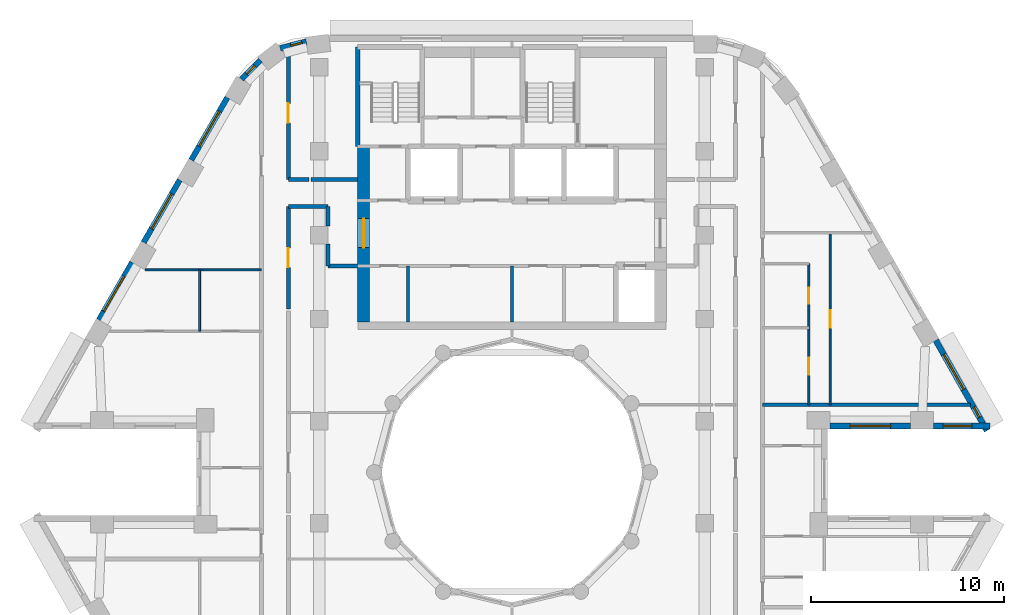
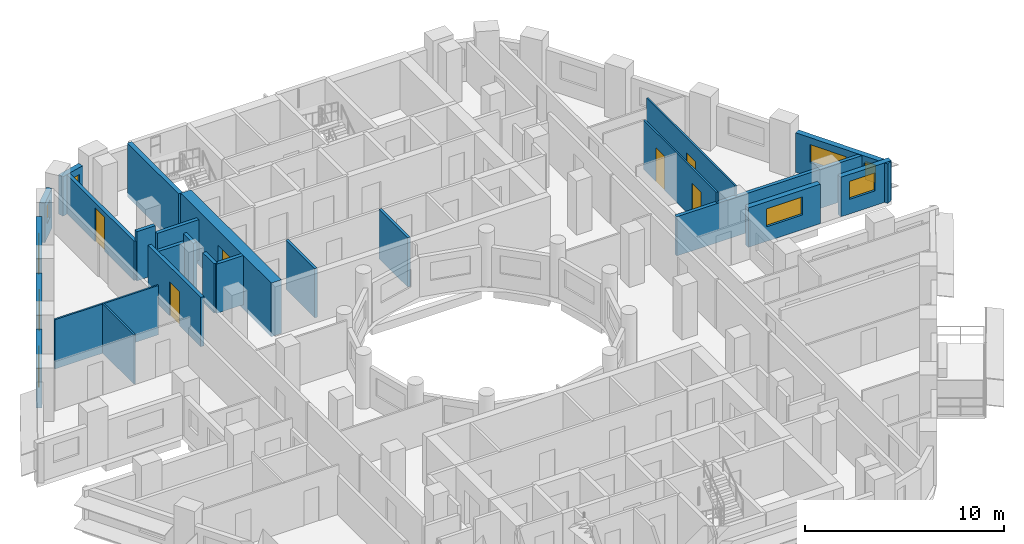
# One storey, part 7 of 16: 25 walls, 9 windows, 6 doors, 15 openings.
"""IFC4 building model written with IfcOpenShell, lengths in metres."""

from ifc_helpers import new_model, si_unit, direction, frame, frame_2d, origin, place, context, subcontext, project, spatial, rectangle, extrude, material, layer, layer_set, type_object, element, fill, save


model = new_model("IFC4")

# Units and contexts
model_context = context("Model", 3, precision=1e-05, world=origin(), true_north=direction((0.0, 1.0)))
body_context = subcontext(model_context, "Body", "Model", "MODEL_VIEW")
ifc_project = project(units=[si_unit("LENGTHUNIT", "METRE"), si_unit("AREAUNIT", "SQUARE_METRE"), si_unit("VOLUMEUNIT", "CUBIC_METRE"), si_unit("PLANEANGLEUNIT", "RADIAN"), si_unit("MASSUNIT", "GRAM", prefix="KILO")], contexts=[model_context])

# Site, building, storey
site_placement = place(None, origin())
site = spatial("IfcSite", under=ifc_project, at=site_placement, CompositionType="ELEMENT")
building_placement = place(site_placement, origin())
building = spatial("IfcBuilding", under=site, at=building_placement, Name="Nakaniwa Court", CompositionType="ELEMENT")
storey_placement = place(building_placement, frame((0.0, 0.0, 199.800048828125)))
storey = spatial("IfcBuildingStorey", under=building, at=storey_placement, Name="L52", CompositionType="ELEMENT", Elevation=199.800048828125)

# Walls
ifc_material_1 = material(Name="Acoustic double stud partition")
ifc_layer_1 = layer(ifc_material_1, 0.199951171875)
ifc_layer_set_1 = layer_set([ifc_layer_1], Name="Acoustic double stud partition")
wall_type_1 = type_object("IfcWallType", Name="Acoustic double stud partition 200", PredefinedType="PARTITIONING", material=ifc_layer_set_1)
wall_1_placement = place(storey_placement, frame((68.39990234375, 93.77490234375, 0.0), z_axis=(0.0, 0.0, 1.0), x_axis=(1.0, 0.0, 0.0)))
element("IfcWall", 1, at=wall_1_placement, inside=storey, type_object=wall_type_1, Name="Partition PW-088", PredefinedType="PARTITIONING", context=body_context, shape_type="SweptSolid", body=[
    extrude(rectangle(XDim=2.050048828125, YDim=0.199951171875, at=frame_2d((1.02490234375, 0.0))), origin(), (0.0, 0.0, 1.0), 2.5048828125),
])
wall_2_placement = place(storey_placement, frame((70.449951171875, 90.699951171875, 0.0), z_axis=(0.0, 0.0, 1.0), x_axis=(1.0, 0.0, 0.0)))
element("IfcWall", 2, at=wall_2_placement, inside=storey, type_object=wall_type_1, Name="Partition PW-090", PredefinedType="PARTITIONING", context=body_context, shape_type="SweptSolid", body=[
    extrude(rectangle(XDim=1.550048828125, YDim=0.199951171875, at=frame_2d((0.77490234375, 0.0))), origin(), (0.0, 0.0, 1.0), 3.02490234375),
])
wall_3_placement = place(storey_placement, frame((68.39990234375, 95.175048828125, 0.0), z_axis=(0.0, 0.0, 1.0), x_axis=(1.0, 0.0, 0.0)))
element("IfcWall", 3, at=wall_3_placement, inside=storey, type_object=wall_type_1, Name="Partition PW-092", PredefinedType="PARTITIONING", context=body_context, shape_type="SweptSolid", body=[
    extrude(rectangle(XDim=1.072998046875, YDim=0.199951171875, at=frame_2d((0.53662109375, 0.0))), origin(), (0.0, 0.0, 1.0), 3.02490234375),
])
wall_4_placement = place(storey_placement, frame((69.587158203125, 95.175048828125, 0.0), z_axis=(0.0, 0.0, 1.0), x_axis=(1.0, 0.0, 0.0)))
element("IfcWall", 4, at=wall_4_placement, inside=storey, type_object=wall_type_1, Name="Partition PW-093", PredefinedType="PARTITIONING", context=body_context, shape_type="SweptSolid", body=[
    extrude(rectangle(XDim=2.412841796875, YDim=0.199951171875, at=frame_2d((1.20654296875, 0.0))), origin(), (0.0, 0.0, 1.0), 2.5048828125),
])

# Wall, opening, door
wall_5_placement = place(storey_placement, frame((68.39990234375, 93.77490234375, 0.0), z_axis=(0.0, 0.0, 1.0), x_axis=(0.0, -1.0, 0.0)))
wall_5 = element("IfcWall", 5, at=wall_5_placement, inside=storey, type_object=wall_type_1, Name="Partition PW-100", PredefinedType="PARTITIONING", context=body_context, shape_type="SweptSolid", body=[
    extrude(rectangle(XDim=5.297607421875, YDim=0.199951171875, at=frame_2d((2.64892578125, 0.0))), origin(), (0.0, 0.0, 1.0), 3.02490234375),
])
opening_1_placement = place(wall_5_placement, frame((2.14794921875, 0.0, 0.0)))
opening_1 = element("IfcOpeningElement", 6, at=opening_1_placement, cuts=wall_5, Name="Opening D-02-07", PredefinedType="OPENING", context=body_context, shape_type="SweptSolid", body=[
    extrude(rectangle(XDim=1.0, YDim=2.10009765625, at=frame_2d((0.5, 1.050048828125))), frame((0.0, 0.10986328125, 0.0), z_axis=(0.0, -1.0, 0.0), x_axis=(1.0, 0.0, 0.0)), (0.0, 0.0, 1.0), 0.219970703125),
])
ifc_material_2 = material(Name="Solid core timber door set, black veneer", Category="wood")
door_type_1 = type_object("IfcDoorType", Name="Internal door 1000", OperationType="NOTDEFINED", PredefinedType="DOOR", material=ifc_material_2)
door_1_placement = place(opening_1_placement, origin())
door_1 = element("IfcDoor", 7, at=door_1_placement, inside=storey, type_object=door_type_1, Name="Door D-02-07 L52-054", OperationType="SINGLE_SWING_LEFT", OverallHeight=2.10009765625, OverallWidth=1.0, PredefinedType="DOOR", context=body_context, shape_type="SweptSolid", body=[
    extrude(rectangle(XDim=1.0, YDim=2.10009765625, at=frame_2d((0.5, 1.050048828125))), frame((0.0, 0.02490234375, 0.0), z_axis=(0.0, -1.0, 0.0), x_axis=(1.0, 0.0, 0.0)), (0.0, 0.0, 1.0), 0.050048828125),
])
fill(opening_1, door_1)

wall_6_placement = place(storey_placement, frame((68.39990234375, 102.07373046875, 0.0), z_axis=(0.0, 0.0, 1.0), x_axis=(0.0, -1.0, 0.0)))
wall_6 = element("IfcWall", 8, at=wall_6_placement, inside=storey, type_object=wall_type_1, Name="Partition PW-101", PredefinedType="PARTITIONING", context=body_context, shape_type="SweptSolid", body=[
    extrude(rectangle(XDim=6.898681640625, YDim=0.199951171875, at=frame_2d((3.44921875, 0.0))), origin(), (0.0, 0.0, 1.0), 2.405029296875),
])
opening_2_placement = place(wall_6_placement, frame((2.948974609375, 0.0, 0.0)))
opening_2 = element("IfcOpeningElement", 9, at=opening_2_placement, cuts=wall_6, Name="Opening D-02-11", PredefinedType="OPENING", context=body_context, shape_type="SweptSolid", body=[
    extrude(rectangle(XDim=1.0, YDim=2.10009765625, at=frame_2d((0.5, 1.050048828125))), frame((0.0, 0.10986328125, 0.0), z_axis=(0.0, -1.0, 0.0), x_axis=(1.0, 0.0, 0.0)), (0.0, 0.0, 1.0), 0.219970703125),
])
door_2_placement = place(opening_2_placement, origin())
door_2 = element("IfcDoor", 10, at=door_2_placement, inside=storey, type_object=door_type_1, Name="Door D-02-11 L52-058", OperationType="SINGLE_SWING_LEFT", OverallHeight=2.10009765625, OverallWidth=1.0, PredefinedType="DOOR", context=body_context, shape_type="SweptSolid", body=[
    extrude(rectangle(XDim=1.0, YDim=2.10009765625, at=frame_2d((0.5, 1.050048828125))), frame((0.0, 0.02490234375, 0.0), z_axis=(0.0, -1.0, 0.0), x_axis=(1.0, 0.0, 0.0)), (0.0, 0.0, 1.0), 0.050048828125),
])
fill(opening_2, door_2)

# Walls
wall_7_placement = place(storey_placement, frame((70.449951171875, 90.699951171875, 0.0), z_axis=(0.0, 0.0, 1.0), x_axis=(0.0, 1.0, 0.0)))
element("IfcWall", 11, at=wall_7_placement, inside=storey, type_object=wall_type_1, Name="Partition PW-105", PredefinedType="PARTITIONING", context=body_context, shape_type="SweptSolid", body=[
    extrude(rectangle(XDim=1.1328125, YDim=0.199951171875, at=frame_2d((0.56640625, 0.0))), origin(), (0.0, 0.0, 1.0), 3.02490234375),
])
wall_8_placement = place(storey_placement, frame((70.449951171875, 92.76708984375, 0.0), z_axis=(0.0, 0.0, 1.0), x_axis=(0.0, 1.0, 0.0)))
element("IfcWall", 12, at=wall_8_placement, inside=storey, type_object=wall_type_1, Name="Partition PW-106", PredefinedType="PARTITIONING", context=body_context, shape_type="SweptSolid", body=[
    extrude(rectangle(XDim=1.0078125, YDim=0.199951171875, at=frame_2d((0.50390625, 0.0))), origin(), (0.0, 0.0, 1.0), 3.02490234375),
])
wall_9_placement = place(storey_placement, frame((93.0009765625, 83.5, 0.0), z_axis=(0.0, 0.0, 1.0), x_axis=(1.0, 0.0, 0.0)))
element("IfcWall", 13, at=wall_9_placement, inside=storey, type_object=wall_type_1, Name="Partition PW-122", PredefinedType="PARTITIONING", context=body_context, shape_type="SweptSolid", body=[
    extrude(rectangle(XDim=10.785888671875, YDim=0.199951171875, at=frame_2d((5.39306640625, 0.0))), origin(), (0.0, 0.0, 1.0), 2.405029296875),
])

# Wall, opening, window
ifc_material_3 = material(Name="Charcoal ceramic cladding")
ifc_layer_2 = layer(ifc_material_3, 0.02, Name="Ceramic cladding")
ifc_material_4 = material(Name="Ventilated air cavity")
ifc_layer_3 = layer(ifc_material_4, 0.04, ventilated=True, Name="Ventilated cavity")
ifc_material_5 = material(Name="Mineral wool insulation")
ifc_layer_4 = layer(ifc_material_5, 0.1, Name="Insulation")
ifc_material_6 = material(Name="Cement bonded sheathing board")
ifc_layer_5 = layer(ifc_material_6, 0.012, Name="Sheathing")
ifc_material_7 = material(Name="Cold-formed galvanised stud frame with mineral wool infill")
ifc_layer_6 = layer(ifc_material_7, 0.1, Name="Stud frame")
ifc_material_8 = material(Name="Fire-rated gypsum plasterboard lining")
ifc_layer_7 = layer(ifc_material_8, 0.028, Name="Lining")
ifc_layer_set_2 = layer_set([ifc_layer_2, ifc_layer_3, ifc_layer_4, ifc_layer_5, ifc_layer_6, ifc_layer_7], Name="Charcoal ceramic faced external wall system")
wall_type_2 = type_object("IfcWallType", Name="Black ceramic faced external wall 300", PredefinedType="SOLIDWALL", material=ifc_layer_set_2)
wall_10_placement = place(storey_placement, frame((96.49560546875, 82.39990234375, 0.0), z_axis=(0.0, 0.0, 1.0), x_axis=(1.0, 0.0, 0.0)))
wall_10 = element("IfcWall", 14, at=wall_10_placement, inside=storey, type_object=wall_type_2, Name="L52 external wall 00", PredefinedType="SOLIDWALL", context=body_context, shape_type="SweptSolid", body=[
    extrude(rectangle(XDim=4.17236328125, YDim=0.300048828125, at=frame_2d((2.086181640625, 0.0))), origin(), (0.0, 0.0, 1.0), 2.425048828125),
])
opening_3_placement = place(wall_10_placement, frame((1.036376953125, 0.0, 0.89990234375)))
opening_3 = element("IfcOpeningElement", 15, at=opening_3_placement, cuts=wall_10, Name="Opening W7.01", PredefinedType="OPENING", context=body_context, shape_type="SweptSolid", body=[
    extrude(rectangle(XDim=2.10009765625, YDim=1.10009765625, at=frame_2d((1.050048828125, 0.550048828125))), frame((0.0, 0.159912109375, 0.0), z_axis=(0.0, -1.0, 0.0), x_axis=(1.0, 0.0, 0.0)), (0.0, 0.0, 1.0), 0.320068359375),
])
ifc_material_9 = material(Name="Black anodised aluminium frame with dark low-E laminated double glazing", Category="aluminium")
window_type_1 = type_object("IfcWindowType", Name="Dark glass window 2100x1100 sill 900", PartitioningType="SINGLE_PANEL", PredefinedType="WINDOW", material=ifc_material_9)
window_1_placement = place(opening_3_placement, origin())
window_1 = element("IfcWindow", 16, at=window_1_placement, inside=storey, type_object=window_type_1, Name="L52 habitable room window 00-0", OverallHeight=1.10009765625, OverallWidth=2.10009765625, PartitioningType="SINGLE_PANEL", PredefinedType="WINDOW", context=body_context, shape_type="SweptSolid", body=[
    extrude(rectangle(XDim=2.10009765625, YDim=1.10009765625, at=frame_2d((1.050048828125, 0.550048828125))), frame((0.0, 0.030029296875, 0.0), z_axis=(0.0, -1.0, 0.0), x_axis=(1.0, 0.0, 0.0)), (0.0, 0.0, 1.0), 0.06005859375),
])
fill(opening_3, window_1)

wall_11_placement = place(storey_placement, frame((101.860107421875, 82.39990234375, 0.0), z_axis=(0.0, 0.0, 1.0), x_axis=(1.0, 0.0, 0.0)))
wall_11 = element("IfcWall", 17, at=wall_11_placement, inside=storey, type_object=wall_type_2, Name="L52 external wall 01", PredefinedType="SOLIDWALL", context=body_context, shape_type="SweptSolid", body=[
    extrude(rectangle(XDim=2.937744140625, YDim=0.300048828125, at=frame_2d((1.46875, 0.0))), origin(), (0.0, 0.0, 1.0), 2.425048828125),
])
opening_4_placement = place(wall_11_placement, frame((0.493896484375, 0.0, 0.89990234375)))
opening_4 = element("IfcOpeningElement", 18, at=opening_4_placement, cuts=wall_11, Name="Opening W5.02", PredefinedType="OPENING", context=body_context, shape_type="SweptSolid", body=[
    extrude(rectangle(XDim=1.5, YDim=1.10009765625, at=frame_2d((0.75, 0.550048828125))), frame((0.0, 0.159912109375, 0.0), z_axis=(0.0, -1.0, 0.0), x_axis=(1.0, 0.0, 0.0)), (0.0, 0.0, 1.0), 0.320068359375),
])
window_type_2 = type_object("IfcWindowType", Name="Dark glass window 1500x1100 sill 900", PartitioningType="SINGLE_PANEL", PredefinedType="WINDOW", material=ifc_material_9)
window_2_placement = place(opening_4_placement, origin())
window_2 = element("IfcWindow", 19, at=window_2_placement, inside=storey, type_object=window_type_2, Name="L52 habitable room window 01-0", OverallHeight=1.10009765625, OverallWidth=1.5, PartitioningType="SINGLE_PANEL", PredefinedType="WINDOW", context=body_context, shape_type="SweptSolid", body=[
    extrude(rectangle(XDim=1.5, YDim=1.10009765625, at=frame_2d((0.75, 0.550048828125))), frame((0.0, 0.030029296875, 0.0), z_axis=(0.0, -1.0, 0.0), x_axis=(1.0, 0.0, 0.0)), (0.0, 0.0, 1.0), 0.06005859375),
])
fill(opening_4, window_2)

# Wall, openings, windows
wall_12_placement = place(storey_placement, frame((104.627197265625, 82.153564453125, 0.0), z_axis=(0.0, 0.0, 1.0), x_axis=(-0.492033360928, 0.870576344575, 0.0)))
wall_12 = element("IfcWall", 20, at=wall_12_placement, inside=storey, type_object=wall_type_2, Name="L52 external wall 02", PredefinedType="SOLIDWALL", context=body_context, shape_type="SweptSolid", body=[
    extrude(rectangle(XDim=5.38671875, YDim=0.300048828125, at=frame_2d((2.693359375, 0.0))), origin(), (0.0, 0.0, 1.0), 2.425048828125),
])
opening_5_placement = place(wall_12_placement, frame((0.797119140625, 0.0, 0.89990234375)))
opening_5 = element("IfcOpeningElement", 21, at=opening_5_placement, cuts=wall_12, Name="Opening W8.03", PredefinedType="OPENING", context=body_context, shape_type="SweptSolid", body=[
    extrude(rectangle(XDim=0.60009765625, YDim=1.10009765625, at=frame_2d((0.300048828125, 0.550048828125))), frame((0.0, 0.159912109375, 0.0), z_axis=(0.0, -1.0, 0.0), x_axis=(1.0, 0.0, 0.0)), (0.0, 0.0, 1.0), 0.320068359375),
])
opening_6_placement = place(wall_12_placement, frame((2.451904296875, 0.0, 0.89990234375)))
opening_6 = element("IfcOpeningElement", 22, at=opening_6_placement, cuts=wall_12, Name="Opening W7.04", PredefinedType="OPENING", context=body_context, shape_type="SweptSolid", body=[
    extrude(rectangle(XDim=2.10009765625, YDim=1.10009765625, at=frame_2d((1.050048828125, 0.550048828125))), frame((0.0, 0.159912109375, 0.0), z_axis=(0.0, -1.0, 0.0), x_axis=(1.0, 0.0, 0.0)), (0.0, 0.0, 1.0), 0.320068359375),
])
window_3_placement = place(opening_6_placement, origin())
window_3 = element("IfcWindow", 23, at=window_3_placement, inside=storey, type_object=window_type_1, Name="L52 living window 02-1", OverallHeight=1.10009765625, OverallWidth=2.10009765625, PartitioningType="SINGLE_PANEL", PredefinedType="WINDOW", context=body_context, shape_type="SweptSolid", body=[
    extrude(rectangle(XDim=2.10009765625, YDim=1.10009765625, at=frame_2d((1.050048828125, 0.550048828125))), frame((0.0, 0.030029296875, 0.0), z_axis=(0.0, -1.0, 0.0), x_axis=(1.0, 0.0, 0.0)), (0.0, 0.0, 1.0), 0.06005859375),
])
fill(opening_6, window_3)
window_type_3 = type_object("IfcWindowType", Name="Dark glass window 600x1100 sill 900", PartitioningType="SINGLE_PANEL", PredefinedType="WINDOW", material=ifc_material_9)
window_4_placement = place(opening_5_placement, origin())
window_4 = element("IfcWindow", 24, at=window_4_placement, inside=storey, type_object=window_type_3, Name="L52 habitable room window 02-0", OverallHeight=1.10009765625, OverallWidth=0.60009765625, PartitioningType="SINGLE_PANEL", PredefinedType="WINDOW", context=body_context, shape_type="SweptSolid", body=[
    extrude(rectangle(XDim=0.60009765625, YDim=1.10009765625, at=frame_2d((0.300048828125, 0.550048828125))), frame((0.0, 0.030029296875, 0.0), z_axis=(0.0, -1.0, 0.0), x_axis=(1.0, 0.0, 0.0)), (0.0, 0.0, 1.0), 0.06005859375),
])
fill(opening_5, window_4)

# Wall, opening, window
wall_13_placement = place(storey_placement, frame((69.3359375, 102.333251953125, 0.0), z_axis=(0.0, 0.0, 1.0), x_axis=(-0.969037396898, -0.246914000036, 0.0)))
wall_13 = element("IfcWall", 25, at=wall_13_placement, inside=storey, type_object=wall_type_2, Name="L52 external wall 09", PredefinedType="SOLIDWALL", context=body_context, shape_type="SweptSolid", body=[
    extrude(rectangle(XDim=1.403076171875, YDim=0.300048828125, at=frame_2d((0.70166015625, 0.0))), origin(), (0.0, 0.0, 1.0), 2.425048828125),
])
opening_7_placement = place(wall_13_placement, frame((0.22900390625, 0.0, 0.89990234375)))
opening_7 = element("IfcOpeningElement", 26, at=opening_7_placement, cuts=wall_13, Name="Opening W8.12", PredefinedType="OPENING", context=body_context, shape_type="SweptSolid", body=[
    extrude(rectangle(XDim=0.60009765625, YDim=1.10009765625, at=frame_2d((0.300048828125, 0.550048828125))), frame((0.0, 0.159912109375, 0.0), z_axis=(0.0, -1.0, 0.0), x_axis=(1.0, 0.0, 0.0)), (0.0, 0.0, 1.0), 0.320068359375),
])
window_5_placement = place(opening_7_placement, origin())
window_5 = element("IfcWindow", 27, at=window_5_placement, inside=storey, type_object=window_type_3, Name="L52 habitable room window 09-0", OverallHeight=1.10009765625, OverallWidth=0.60009765625, PartitioningType="SINGLE_PANEL", PredefinedType="WINDOW", context=body_context, shape_type="SweptSolid", body=[
    extrude(rectangle(XDim=0.60009765625, YDim=1.10009765625, at=frame_2d((0.300048828125, 0.550048828125))), frame((0.0, 0.030029296875, 0.0), z_axis=(0.0, -1.0, 0.0), x_axis=(1.0, 0.0, 0.0)), (0.0, 0.0, 1.0), 0.06005859375),
])
fill(opening_7, window_5)

wall_14_placement = place(storey_placement, frame((66.951904296875, 101.36328125, 0.0), z_axis=(0.0, 0.0, 1.0), x_axis=(-0.70869320446, -0.705516790695, 0.0)))
wall_14 = element("IfcWall", 28, at=wall_14_placement, inside=storey, type_object=wall_type_2, Name="L52 external wall 10", PredefinedType="SOLIDWALL", context=body_context, shape_type="SweptSolid", body=[
    extrude(rectangle(XDim=1.383544921875, YDim=0.300048828125, at=frame_2d((0.69189453125, 0.0))), origin(), (0.0, 0.0, 1.0), 2.425048828125),
])
opening_8_placement = place(wall_14_placement, frame((0.407958984375, 0.0, 0.89990234375)))
opening_8 = element("IfcOpeningElement", 29, at=opening_8_placement, cuts=wall_14, Name="Opening W8.13", PredefinedType="OPENING", context=body_context, shape_type="SweptSolid", body=[
    extrude(rectangle(XDim=0.60009765625, YDim=1.10009765625, at=frame_2d((0.300048828125, 0.550048828125))), frame((0.0, 0.159912109375, 0.0), z_axis=(0.0, -1.0, 0.0), x_axis=(1.0, 0.0, 0.0)), (0.0, 0.0, 1.0), 0.320068359375),
])
window_6_placement = place(opening_8_placement, origin())
window_6 = element("IfcWindow", 30, at=window_6_placement, inside=storey, type_object=window_type_3, Name="L52 habitable room window 10-1", OverallHeight=1.10009765625, OverallWidth=0.60009765625, PartitioningType="SINGLE_PANEL", PredefinedType="WINDOW", context=body_context, shape_type="SweptSolid", body=[
    extrude(rectangle(XDim=0.60009765625, YDim=1.10009765625, at=frame_2d((0.300048828125, 0.550048828125))), frame((0.0, 0.030029296875, 0.0), z_axis=(0.0, -1.0, 0.0), x_axis=(1.0, 0.0, 0.0)), (0.0, 0.0, 1.0), 0.06005859375),
])
fill(opening_8, window_6)

wall_15_placement = place(storey_placement, frame((65.239013671875, 99.433349609375, 0.0), z_axis=(0.0, 0.0, 1.0), x_axis=(-0.499982088007, -0.866035745032, 0.0)))
wall_15 = element("IfcWall", 31, at=wall_15_placement, inside=storey, type_object=wall_type_2, Name="L52 external wall 11", PredefinedType="SOLIDWALL", context=body_context, shape_type="SweptSolid", body=[
    extrude(rectangle(XDim=3.744384765625, YDim=0.300048828125, at=frame_2d((1.8720703125, 0.0))), origin(), (0.0, 0.0, 1.0), 2.425048828125),
])
opening_9_placement = place(wall_15_placement, frame((0.822021484375, 0.0, 0.89990234375)))
opening_9 = element("IfcOpeningElement", 32, at=opening_9_placement, cuts=wall_15, Name="Opening W7.14", PredefinedType="OPENING", context=body_context, shape_type="SweptSolid", body=[
    extrude(rectangle(XDim=2.10009765625, YDim=1.10009765625, at=frame_2d((1.050048828125, 0.550048828125))), frame((0.0, 0.159912109375, 0.0), z_axis=(0.0, -1.0, 0.0), x_axis=(1.0, 0.0, 0.0)), (0.0, 0.0, 1.0), 0.320068359375),
])
window_7_placement = place(opening_9_placement, origin())
window_7 = element("IfcWindow", 33, at=window_7_placement, inside=storey, type_object=window_type_1, Name="L52 habitable room window 11-0", OverallHeight=1.10009765625, OverallWidth=2.10009765625, PartitioningType="SINGLE_PANEL", PredefinedType="WINDOW", context=body_context, shape_type="SweptSolid", body=[
    extrude(rectangle(XDim=2.10009765625, YDim=1.10009765625, at=frame_2d((1.050048828125, 0.550048828125))), frame((0.0, 0.030029296875, 0.0), z_axis=(0.0, -1.0, 0.0), x_axis=(1.0, 0.0, 0.0)), (0.0, 0.0, 1.0), 0.06005859375),
])
fill(opening_9, window_7)

wall_16_placement = place(storey_placement, frame((62.77099609375, 95.158447265625, 0.0), z_axis=(0.0, 0.0, 1.0), x_axis=(-0.500059225181, -0.86599120741, 0.0)))
wall_16 = element("IfcWall", 34, at=wall_16_placement, inside=storey, type_object=wall_type_2, Name="L52 external wall 12", PredefinedType="SOLIDWALL", context=body_context, shape_type="SweptSolid", body=[
    extrude(rectangle(XDim=3.744140625, YDim=0.300048828125, at=frame_2d((1.8720703125, 0.0))), origin(), (0.0, 0.0, 1.0), 2.425048828125),
])
opening_10_placement = place(wall_16_placement, frame((0.822021484375, 0.0, 0.89990234375)))
opening_10 = element("IfcOpeningElement", 35, at=opening_10_placement, cuts=wall_16, Name="Opening W7.15", PredefinedType="OPENING", context=body_context, shape_type="SweptSolid", body=[
    extrude(rectangle(XDim=2.10009765625, YDim=1.10009765625, at=frame_2d((1.050048828125, 0.550048828125))), frame((0.0, 0.159912109375, 0.0), z_axis=(0.0, -1.0, 0.0), x_axis=(1.0, 0.0, 0.0)), (0.0, 0.0, 1.0), 0.320068359375),
])
window_8_placement = place(opening_10_placement, origin())
window_8 = element("IfcWindow", 36, at=window_8_placement, inside=storey, type_object=window_type_1, Name="L52 habitable room window 12-0", OverallHeight=1.10009765625, OverallWidth=2.10009765625, PartitioningType="SINGLE_PANEL", PredefinedType="WINDOW", context=body_context, shape_type="SweptSolid", body=[
    extrude(rectangle(XDim=2.10009765625, YDim=1.10009765625, at=frame_2d((1.050048828125, 0.550048828125))), frame((0.0, 0.030029296875, 0.0), z_axis=(0.0, -1.0, 0.0), x_axis=(1.0, 0.0, 0.0)), (0.0, 0.0, 1.0), 0.06005859375),
])
fill(opening_10, window_8)

wall_17_placement = place(storey_placement, frame((60.302734375, 90.883544921875, 0.0), z_axis=(0.0, 0.0, 1.0), x_axis=(-0.499955427682, -0.866051136095, 0.0)))
wall_17 = element("IfcWall", 37, at=wall_17_placement, inside=storey, type_object=wall_type_2, Name="L52 external wall 13", PredefinedType="SOLIDWALL", context=body_context, shape_type="SweptSolid", body=[
    extrude(rectangle(XDim=3.447021484375, YDim=0.300048828125, at=frame_2d((1.7236328125, 0.0))), origin(), (0.0, 0.0, 1.0), 2.425048828125),
])
opening_11_placement = place(wall_17_placement, frame((0.833984375, 0.0, 0.89990234375)))
opening_11 = element("IfcOpeningElement", 38, at=opening_11_placement, cuts=wall_17, Name="Opening W7.16", PredefinedType="OPENING", context=body_context, shape_type="SweptSolid", body=[
    extrude(rectangle(XDim=2.10009765625, YDim=1.10009765625, at=frame_2d((1.050048828125, 0.550048828125))), frame((0.0, 0.159912109375, 0.0), z_axis=(0.0, -1.0, 0.0), x_axis=(1.0, 0.0, 0.0)), (0.0, 0.0, 1.0), 0.320068359375),
])
window_9_placement = place(opening_11_placement, origin())
window_9 = element("IfcWindow", 39, at=window_9_placement, inside=storey, type_object=window_type_1, Name="L52 habitable room window 13-0", OverallHeight=1.10009765625, OverallWidth=2.10009765625, PartitioningType="SINGLE_PANEL", PredefinedType="WINDOW", context=body_context, shape_type="SweptSolid", body=[
    extrude(rectangle(XDim=2.10009765625, YDim=1.10009765625, at=frame_2d((1.050048828125, 0.550048828125))), frame((0.0, 0.030029296875, 0.0), z_axis=(0.0, -1.0, 0.0), x_axis=(1.0, 0.0, 0.0)), (0.0, 0.0, 1.0), 0.06005859375),
])
fill(opening_11, window_9)

# Walls
ifc_material_10 = material(Name="Blockwork partition", Category="masonry")
ifc_layer_8 = layer(ifc_material_10, 0.14990234375)
ifc_layer_set_3 = layer_set([ifc_layer_8], Name="Blockwork partition")
wall_type_3 = type_object("IfcWallType", Name="Blockwork partition 150", PredefinedType="PARTITIONING", material=ifc_layer_set_3)
for number, where, z_axis, x_axis, name in (
    (40, (74.60009765625, 87.800048828125, 0.0), (0.0, 0.0, 1.0), (0.0, 1.0, 0.0), "Partition PW-001"),
    (41, (80.0, 87.800048828125, 0.0), (0.0, 0.0, 1.0), (0.0, 1.0, 0.0), "Partition PW-008"),
):
    element("IfcWall", number, at=place(storey_placement, frame(where, z_axis=z_axis, x_axis=x_axis)), inside=storey, type_object=wall_type_3, Name=name, PredefinedType="PARTITIONING", context=body_context, shape_type="SweptSolid", body=[
        extrude(rectangle(XDim=2.89990234375, YDim=0.14990234375, at=frame_2d((1.449951171875, 0.0))), origin(), (0.0, 0.0, 1.0), 3.02490234375),
    ])

# Wall, opening, door
ifc_material_11 = material(Name="Concrete C80/100", Category="concrete")
ifc_layer_9 = layer(ifc_material_11, 0.60009765625)
ifc_layer_set_4 = layer_set([ifc_layer_9], Name="Concrete C80/100")
wall_type_4 = type_object("IfcWallType", Name="Concrete core side wall 600 C80", PredefinedType="SHEAR", material=ifc_layer_set_4)
wall_18_placement = place(storey_placement, frame((72.300048828125, 87.800048828125, -0.275146484375), z_axis=(0.0, 0.0, 1.0), x_axis=(0.0, 1.0, 0.0)))
wall_18 = element("IfcWall", 42, at=wall_18_placement, inside=storey, type_object=wall_type_4, Name="Core wall SW-03", PredefinedType="SHEAR", context=body_context, shape_type="SweptSolid", body=[
    extrude(rectangle(XDim=9.099853515625, YDim=0.60009765625, at=frame_2d((4.5498046875, 0.0))), origin(), (0.0, 0.0, 1.0), 3.300048828125),
])
opening_12_placement = place(wall_18_placement, frame((3.85205078125, 0.0, 0.27490234375)))
opening_12 = element("IfcOpeningElement", 43, at=opening_12_placement, cuts=wall_18, Name="Opening D-07-02", PredefinedType="OPENING", context=body_context, shape_type="SweptSolid", body=[
    extrude(rectangle(XDim=1.5, YDim=2.10009765625, at=frame_2d((0.75, 1.050048828125))), frame((0.0, 0.31005859375, 0.0), z_axis=(0.0, -1.0, 0.0), x_axis=(1.0, 0.0, 0.0)), (0.0, 0.0, 1.0), 0.6201171875),
])
ifc_material_12 = material(Name="Glazed fire rated steel double door set", Category="steel")
door_type_2 = type_object("IfcDoorType", Name="Lobby double door 1500", OperationType="NOTDEFINED", PredefinedType="DOOR", material=ifc_material_12)
door_3_placement = place(opening_12_placement, origin())
door_3 = element("IfcDoor", 44, at=door_3_placement, inside=storey, type_object=door_type_2, Name="Door D-07-02 L52-060", OperationType="DOUBLE_DOOR_SINGLE_SWING", OverallHeight=2.10009765625, OverallWidth=1.5, PredefinedType="DOOR", context=body_context, shape_type="SweptSolid", body=[
    extrude(rectangle(XDim=1.5, YDim=2.10009765625, at=frame_2d((0.75, 1.050048828125))), frame((0.0, 0.02490234375, 0.0), z_axis=(0.0, -1.0, 0.0), x_axis=(1.0, 0.0, 0.0)), (0.0, 0.0, 1.0), 0.050048828125),
])
fill(opening_12, door_3)

# Wall
ifc_layer_10 = layer(ifc_material_11, 0.25)
ifc_layer_set_5 = layer_set([ifc_layer_10], Name="Concrete C80/100")
wall_type_5 = type_object("IfcWallType", Name="Concrete core wall 250 C80", PredefinedType="SHEAR", material=ifc_layer_set_5)
wall_19_placement = place(storey_placement, frame((72.0, 96.89990234375, -0.275146484375), z_axis=(0.0, 0.0, 1.0), x_axis=(0.0, 1.0, 0.0)))
element("IfcWall", 45, at=wall_19_placement, inside=storey, type_object=wall_type_5, Name="Core wall SW-27", PredefinedType="SHEAR", context=body_context, shape_type="SweptSolid", body=[
    extrude(rectangle(XDim=5.150146484375, YDim=0.25, at=frame_2d((2.5751953125, 0.0))), origin(), (0.0, 0.0, 1.0), 3.300048828125),
])

# Wall, openings, doors
ifc_material_13 = material(Name="Single stud plasterboard partition")
ifc_layer_11 = layer(ifc_material_13, 0.10009765625)
ifc_layer_set_6 = layer_set([ifc_layer_11], Name="Single stud plasterboard partition")
wall_type_6 = type_object("IfcWallType", Name="Single stud plasterboard partition 100", PredefinedType="PARTITIONING", material=ifc_layer_set_6)
wall_20_placement = place(storey_placement, frame((95.40087890625, 83.5, 0.0), z_axis=(0.0, 0.0, 1.0), x_axis=(0.0, 1.0, 0.0)))
wall_20 = element("IfcWall", 46, at=wall_20_placement, inside=storey, type_object=wall_type_6, Name="Partition PW-124", PredefinedType="PARTITIONING", context=body_context, shape_type="SweptSolid", body=[
    extrude(rectangle(XDim=7.3125, YDim=0.10009765625, at=frame_2d((3.65625, 0.0))), origin(), (0.0, 0.0, 1.0), 3.02490234375),
])
opening_13_placement = place(wall_20_placement, frame((1.5439453125, 0.0, 0.0)))
opening_13 = element("IfcOpeningElement", 47, at=opening_13_placement, cuts=wall_20, Name="Opening D-33-06", PredefinedType="OPENING", context=body_context, shape_type="SweptSolid", body=[
    extrude(rectangle(XDim=0.89990234375, YDim=2.10009765625, at=frame_2d((0.449951171875, 1.050048828125))), frame((0.0, 0.06005859375, 0.0), z_axis=(0.0, -1.0, 0.0), x_axis=(1.0, 0.0, 0.0)), (0.0, 0.0, 1.0), 0.1201171875),
])
opening_14_placement = place(wall_20_placement, frame((5.22607421875, 0.0, 0.0)))
opening_14 = element("IfcOpeningElement", 48, at=opening_14_placement, cuts=wall_20, Name="Opening D-03-03", PredefinedType="OPENING", context=body_context, shape_type="SweptSolid", body=[
    extrude(rectangle(XDim=0.85009765625, YDim=2.10009765625, at=frame_2d((0.425048828125, 1.050048828125))), frame((0.0, 0.06005859375, 0.0), z_axis=(0.0, -1.0, 0.0), x_axis=(1.0, 0.0, 0.0)), (0.0, 0.0, 1.0), 0.1201171875),
])
ifc_material_14 = material(Name="Moisture sealed timber door set", Category="wood")
door_type_3 = type_object("IfcDoorType", Name="Bathroom door 850", OperationType="NOTDEFINED", PredefinedType="DOOR", material=ifc_material_14)
door_4_placement = place(opening_14_placement, origin())
door_4 = element("IfcDoor", 49, at=door_4_placement, inside=storey, type_object=door_type_3, Name="Door D-03-03 L52-039", OperationType="SINGLE_SWING_RIGHT", OverallHeight=2.10009765625, OverallWidth=0.85009765625, PredefinedType="DOOR", context=body_context, shape_type="SweptSolid", body=[
    extrude(rectangle(XDim=0.85009765625, YDim=2.10009765625, at=frame_2d((0.425048828125, 1.050048828125))), frame((0.0, 0.02490234375, 0.0), z_axis=(0.0, -1.0, 0.0), x_axis=(1.0, 0.0, 0.0)), (0.0, 0.0, 1.0), 0.050048828125),
])
fill(opening_14, door_4)
door_type_4 = type_object("IfcDoorType", Name="Internal door 900", OperationType="NOTDEFINED", PredefinedType="DOOR", material=ifc_material_2)
door_5_placement = place(opening_13_placement, origin())
door_5 = element("IfcDoor", 50, at=door_5_placement, inside=storey, type_object=door_type_4, Name="Door D-33-06 L52-038", OperationType="SINGLE_SWING_LEFT", OverallHeight=2.10009765625, OverallWidth=0.89990234375, PredefinedType="DOOR", context=body_context, shape_type="SweptSolid", body=[
    extrude(rectangle(XDim=0.89990234375, YDim=2.10009765625, at=frame_2d((0.449951171875, 1.050048828125))), frame((0.0, 0.02490234375, 0.0), z_axis=(0.0, -1.0, 0.0), x_axis=(1.0, 0.0, 0.0)), (0.0, 0.0, 1.0), 0.050048828125),
])
fill(opening_13, door_5)

# Wall, opening, door
wall_21_placement = place(storey_placement, frame((96.5009765625, 92.41259765625, 0.0), z_axis=(0.0, 0.0, 1.0), x_axis=(0.0, -1.0, 0.0)))
wall_21 = element("IfcWall", 51, at=wall_21_placement, inside=storey, type_object=wall_type_6, Name="Partition PW-126", PredefinedType="PARTITIONING", context=body_context, shape_type="SweptSolid", body=[
    extrude(rectangle(XDim=8.91259765625, YDim=0.10009765625, at=frame_2d((4.456298828125, 0.0))), origin(), (0.0, 0.0, 1.0), 3.02490234375),
])
opening_15_placement = place(wall_21_placement, frame((4.006103515625, 0.0, 0.0)))
opening_15 = element("IfcOpeningElement", 52, at=opening_15_placement, cuts=wall_21, Name="Opening D-33-07", PredefinedType="OPENING", context=body_context, shape_type="SweptSolid", body=[
    extrude(rectangle(XDim=0.89990234375, YDim=2.10009765625, at=frame_2d((0.449951171875, 1.050048828125))), frame((0.0, 0.06005859375, 0.0), z_axis=(0.0, -1.0, 0.0), x_axis=(1.0, 0.0, 0.0)), (0.0, 0.0, 1.0), 0.1201171875),
])
door_6_placement = place(opening_15_placement, origin())
door_6 = element("IfcDoor", 53, at=door_6_placement, inside=storey, type_object=door_type_4, Name="Door D-33-07 L52-040", OperationType="SINGLE_SWING_LEFT", OverallHeight=2.10009765625, OverallWidth=0.89990234375, PredefinedType="DOOR", context=body_context, shape_type="SweptSolid", body=[
    extrude(rectangle(XDim=0.89990234375, YDim=2.10009765625, at=frame_2d((0.449951171875, 1.050048828125))), frame((0.0, 0.02490234375, 0.0), z_axis=(0.0, -1.0, 0.0), x_axis=(1.0, 0.0, 0.0)), (0.0, 0.0, 1.0), 0.050048828125),
])
fill(opening_15, door_6)

# Walls
wall_22_placement = place(storey_placement, frame((63.799072265625, 87.314453125, 0.0), z_axis=(0.0, 0.0, 1.0), x_axis=(0.0, 1.0, 0.0)))
element("IfcWall", 54, at=wall_22_placement, inside=storey, type_object=wall_type_6, Name="Partition PW-131", PredefinedType="PARTITIONING", context=body_context, shape_type="SweptSolid", body=[
    extrude(rectangle(XDim=3.185546875, YDim=0.10009765625, at=frame_2d((1.5927734375, 0.0))), origin(), (0.0, 0.0, 1.0), 3.02490234375),
])
wall_23_placement = place(storey_placement, frame((60.970703125, 90.5, 0.0), z_axis=(0.0, 0.0, 1.0), x_axis=(1.0, 0.0, 0.0)))
element("IfcWall", 55, at=wall_23_placement, inside=storey, type_object=wall_type_6, Name="Partition PW-137", PredefinedType="PARTITIONING", context=body_context, shape_type="SweptSolid", body=[
    extrude(rectangle(XDim=6.0283203125, YDim=0.10009765625, at=frame_2d((3.01416015625, 0.0))), origin(), (0.0, 0.0, 1.0), 3.02490234375),
])

save(model, "model.ifc")
